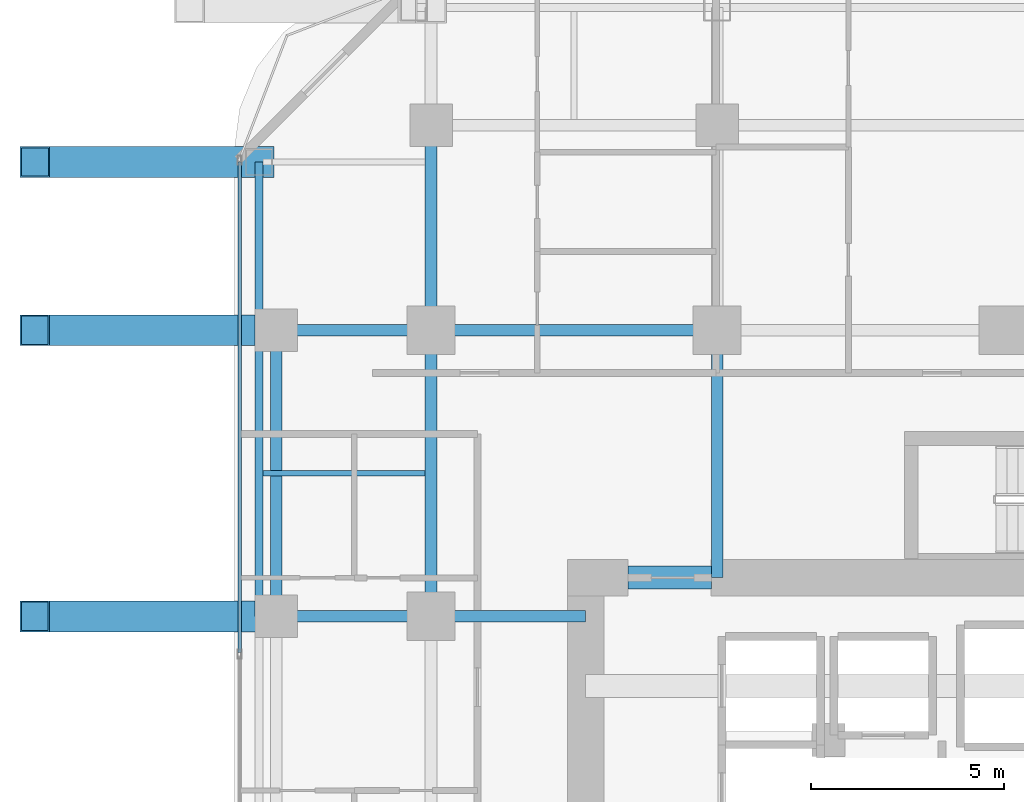
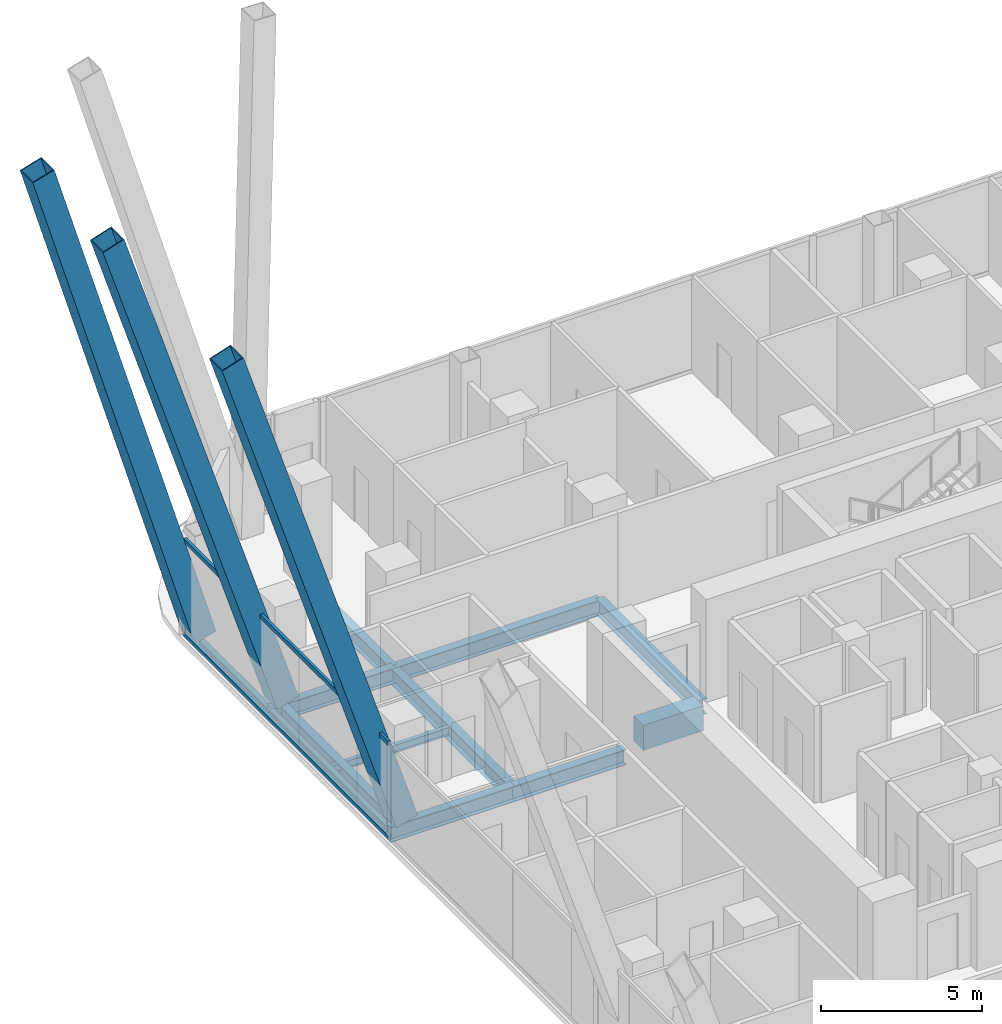
# One storey, part 14 of 32: 12 beams, 5 members, 1 element without a shape of its own.
"""IFC4 building model written with IfcOpenShell, lengths in metres."""

from ifc_helpers import new_model, si_unit, direction, frame, origin, origin_2d, place, context, subcontext, project, spatial, rectangle, hollow_rectangle, i_section, extrude, material, layer, layer_set, material_profile, profile_set, type_object, element, aggregate, save


model = new_model("IFC4")

# Units and contexts
model_context = context("Model", 3, precision=1e-05, world=origin(), true_north=direction((0.0, 1.0)))
body_context = subcontext(model_context, "Body", "Model", "MODEL_VIEW")
ifc_project = project(units=[si_unit("LENGTHUNIT", "METRE"), si_unit("AREAUNIT", "SQUARE_METRE"), si_unit("VOLUMEUNIT", "CUBIC_METRE"), si_unit("PLANEANGLEUNIT", "RADIAN"), si_unit("MASSUNIT", "GRAM", prefix="KILO")], contexts=[model_context])

# Site, building, storey
site_placement = place(None, origin())
site = spatial("IfcSite", under=ifc_project, at=site_placement, CompositionType="ELEMENT")
building_placement = place(site_placement, origin())
building = spatial("IfcBuilding", under=site, at=building_placement, Name="Khorvyn Point Tower", CompositionType="ELEMENT")
storey_placement = place(building_placement, frame((0.0, 0.0, 148.5)))
storey = spatial("IfcBuildingStorey", under=building, at=storey_placement, Name="L37", CompositionType="ELEMENT", Elevation=148.5)

# Curtain wall, members
ifc_material_1 = material(Name="Anodised aluminium 6063-T6 and laminated Low-E glass", Category="aluminium")
ifc_layer = layer(ifc_material_1, 0.18994140625)
ifc_layer_set = layer_set([ifc_layer], Name="Stick-Built Acoustic Curtain Wall CW-SYS-03")
curtain_wall_type = type_object("IfcCurtainWallType", Name="Stick-Built Acoustic Curtain Wall CW-SYS-03", PredefinedType="NOTDEFINED", material=ifc_layer_set)
curtain_wall_placement = place(storey_placement, origin())
curtain_wall = element("IfcCurtainWall", 1, at=curtain_wall_placement, inside=storey, type_object=curtain_wall_type, Name="Curtain Wall", PredefinedType="NOTDEFINED")
ifc_material_2 = material(Name="Anodised aluminium 6063-T6", Category="aluminium")
ifc_material_profile_1 = material_profile(ifc_material_2, hollow_rectangle(XDim=0.10009765625, YDim=0.159912109375, WallThickness=0.00439453125, at=origin_2d()))
ifc_profile_set_1 = profile_set([ifc_material_profile_1], Name="Anodised aluminium 6063-T6 ALU-TRN-100x160")
member_type_1 = type_object("IfcMemberType", Name="Anodised Aluminium 6063-T6 Transom ALU-TRN-100x160", PredefinedType="USERDEFINED", material=ifc_profile_set_1)
member_1_placement = place(storey_placement, frame((-19.75, 6.466552734375, 0.050048828125), z_axis=(0.0, 1.0, 0.0), x_axis=(-1.0, 0.0, 0.0)))
member_1 = element("IfcMember", 2, at=member_1_placement, type_object=member_type_1, Name="Transom", ObjectType="TRANSOM", PredefinedType="USERDEFINED", context=body_context, shape_type="SweptSolid", body=[
    extrude(hollow_rectangle(XDim=0.10009765625, YDim=0.159912109375, WallThickness=0.00439453125, at=origin_2d()), origin(), (0.0, 0.0, 1.0), 12.683349609375),
])
member_2_placement = place(storey_placement, frame((-19.75, 6.466552734375, 3.6298828125), z_axis=(0.0, 1.0, 0.0), x_axis=(-1.0, 0.0, 0.0)))
member_2 = element("IfcMember", 3, at=member_2_placement, type_object=member_type_1, Name="Transom", ObjectType="TRANSOM", PredefinedType="USERDEFINED", context=body_context, shape_type="SweptSolid", body=[
    extrude(hollow_rectangle(XDim=0.10009765625, YDim=0.159912109375, WallThickness=0.00439453125, at=origin_2d()), origin(), (0.0, 0.0, 1.0), 12.683349609375),
])
aggregate(curtain_wall, [member_1, member_2])

# Beams
ifc_material_3 = material(Name="Concrete C50/60", Category="concrete")
ifc_material_profile_2 = material_profile(ifc_material_3, rectangle(XDim=0.60009765625, YDim=0.949951171875, at=origin_2d()))
ifc_profile_set_2 = profile_set([ifc_material_profile_2], Name="Concrete C50/60 RC600x950")
beam_type_1 = type_object("IfcBeamType", Name="Concrete C50/60 Beam RC600x950", PredefinedType="BEAM", material=ifc_profile_set_2)
beam_1_placement = place(storey_placement, frame((-9.699951171875, 8.39990234375, -0.695068359375), z_axis=(1.0, 0.0, 0.0), x_axis=(0.0, 1.0, 0.0)))
element("IfcBeam", 4, at=beam_1_placement, inside=storey, type_object=beam_type_1, Name="L37 Core Northwest Portal Coupling Beam", PredefinedType="BEAM", context=body_context, shape_type="SweptSolid", body=[
    extrude(rectangle(XDim=0.60009765625, YDim=0.949951171875, at=origin_2d()), origin(), (0.0, 0.0, 1.0), 2.14990234375),
])
ifc_material_4 = material(Name="Steel S355", Category="steel")
ifc_material_profile_3 = material_profile(ifc_material_4, i_section(OverallWidth=0.300048828125, OverallDepth=0.587890625, WebThickness=0.011962890625, FlangeThickness=0.02001953125, at=origin_2d()))
ifc_profile_set_3 = profile_set([ifc_material_profile_3], Name="Steel S355 H588x300x12x20")
beam_type_2 = type_object("IfcBeamType", Name="Steel S355 Beam H588x300x12x20", PredefinedType="BEAM", material=ifc_profile_set_3)
beam_2_placement = place(storey_placement, frame((-19.25, 14.800048828125, -0.513916015625), z_axis=(1.0, 0.0, 0.0), x_axis=(0.0, 1.0, 0.0)))
element("IfcBeam", 5, at=beam_2_placement, inside=storey, type_object=beam_type_2, Name="Beam", PredefinedType="BEAM", context=body_context, shape_type="SweptSolid", body=[
    extrude(i_section(OverallWidth=0.300048828125, OverallDepth=0.587890625, WebThickness=0.011962890625, FlangeThickness=0.02001953125, at=origin_2d()), origin(), (0.0, 0.0, 1.0), 4.449951171875),
])
beam_3_placement = place(storey_placement, frame((-14.800048828125, 14.800048828125, -0.513916015625), z_axis=(1.0, 0.0, 0.0), x_axis=(0.0, 1.0, 0.0)))
element("IfcBeam", 6, at=beam_3_placement, inside=storey, type_object=beam_type_2, Name="Beam", PredefinedType="BEAM", context=body_context, shape_type="SweptSolid", body=[
    extrude(i_section(OverallWidth=0.300048828125, OverallDepth=0.587890625, WebThickness=0.011962890625, FlangeThickness=0.02001953125, at=origin_2d()), origin(), (0.0, 0.0, 1.0), 7.400146484375),
])
beam_4_placement = place(storey_placement, frame((-19.25, 7.39990234375, -0.513916015625), z_axis=(1.0, 0.0, 0.0), x_axis=(0.0, 1.0, 0.0)))
element("IfcBeam", 7, at=beam_4_placement, inside=storey, type_object=beam_type_2, Name="Beam", PredefinedType="BEAM", context=body_context, shape_type="SweptSolid", body=[
    extrude(i_section(OverallWidth=0.300048828125, OverallDepth=0.587890625, WebThickness=0.011962890625, FlangeThickness=0.02001953125, at=origin_2d()), origin(), (0.0, 0.0, 1.0), 4.449951171875),
])
beam_5_placement = place(storey_placement, frame((-14.800048828125, 7.39990234375, -0.513916015625), z_axis=(1.0, 0.0, 0.0), x_axis=(0.0, 1.0, 0.0)))
element("IfcBeam", 8, at=beam_5_placement, inside=storey, type_object=beam_type_2, Name="Beam", PredefinedType="BEAM", context=body_context, shape_type="SweptSolid", body=[
    extrude(i_section(OverallWidth=0.300048828125, OverallDepth=0.587890625, WebThickness=0.011962890625, FlangeThickness=0.02001953125, at=origin_2d()), origin(), (0.0, 0.0, 1.0), 4.0),
])
beam_6_placement = place(storey_placement, frame((-14.800048828125, 7.39990234375, -0.513916015625), z_axis=(0.0, 1.0, 0.0), x_axis=(-1.0, 0.0, 0.0)))
element("IfcBeam", 9, at=beam_6_placement, inside=storey, type_object=beam_type_2, Name="Beam", PredefinedType="BEAM", context=body_context, shape_type="SweptSolid", body=[
    extrude(i_section(OverallWidth=0.300048828125, OverallDepth=0.587890625, WebThickness=0.011962890625, FlangeThickness=0.02001953125, at=origin_2d()), origin(), (0.0, 0.0, 1.0), 7.400146484375),
])
beam_7_placement = place(storey_placement, frame((-14.800048828125, 14.800048828125, -0.513916015625), z_axis=(0.0, 1.0, 0.0), x_axis=(-1.0, 0.0, 0.0)))
element("IfcBeam", 10, at=beam_7_placement, inside=storey, type_object=beam_type_2, Name="Beam", PredefinedType="BEAM", context=body_context, shape_type="SweptSolid", body=[
    extrude(i_section(OverallWidth=0.300048828125, OverallDepth=0.587890625, WebThickness=0.011962890625, FlangeThickness=0.02001953125, at=origin_2d()), origin(), (0.0, 0.0, 1.0), 5.300048828125),
])
beam_8_placement = place(storey_placement, frame((-7.39990234375, 8.39990234375, -0.513916015625), z_axis=(0.0, 1.0, 0.0), x_axis=(-1.0, 0.0, 0.0)))
element("IfcBeam", 11, at=beam_8_placement, inside=storey, type_object=beam_type_2, Name="Beam", PredefinedType="BEAM", context=body_context, shape_type="SweptSolid", body=[
    extrude(i_section(OverallWidth=0.300048828125, OverallDepth=0.587890625, WebThickness=0.011962890625, FlangeThickness=0.02001953125, at=origin_2d()), origin(), (0.0, 0.0, 1.0), 6.400146484375),
])
beam_9_placement = place(storey_placement, frame((-18.800048828125, 7.39990234375, -0.513916015625), z_axis=(0.0, 1.0, 0.0), x_axis=(-1.0, 0.0, 0.0)))
element("IfcBeam", 12, at=beam_9_placement, inside=storey, type_object=beam_type_2, Name="Beam", PredefinedType="BEAM", context=body_context, shape_type="SweptSolid", body=[
    extrude(i_section(OverallWidth=0.300048828125, OverallDepth=0.587890625, WebThickness=0.011962890625, FlangeThickness=0.02001953125, at=origin_2d()), origin(), (0.0, 0.0, 1.0), 7.400146484375),
])
ifc_material_profile_4 = material_profile(ifc_material_4, i_section(OverallWidth=0.14990234375, OverallDepth=0.300048828125, WebThickness=0.006591796875, FlangeThickness=0.009033203125, at=origin_2d()))
ifc_profile_set_4 = profile_set([ifc_material_profile_4], Name="Steel S355 H300x150x6.5x9")
beam_type_3 = type_object("IfcBeamType", Name="Steel S355 Joist H300x150x6.5x9", PredefinedType="JOIST", material=ifc_profile_set_4)
beam_10_placement = place(storey_placement, frame((-19.14990234375, 11.10009765625, -0.3701171875), z_axis=(1.0, 0.0, 0.0), x_axis=(0.0, 1.0, 0.0)))
element("IfcBeam", 13, at=beam_10_placement, inside=storey, type_object=beam_type_3, Name="Beam", PredefinedType="JOIST", context=body_context, shape_type="SweptSolid", body=[
    extrude(i_section(OverallWidth=0.14990234375, OverallDepth=0.300048828125, WebThickness=0.006591796875, FlangeThickness=0.009033203125, at=origin_2d()), origin(), (0.0, 0.0, 1.0), 4.199951171875),
])
ifc_material_profile_5 = material_profile(ifc_material_4, i_section(OverallWidth=0.199951171875, OverallDepth=0.449951171875, WebThickness=0.009033203125, FlangeThickness=0.013916015625, at=origin_2d()))
ifc_profile_set_5 = profile_set([ifc_material_profile_5], Name="Steel S355 H450x200x9x14")
beam_type_4 = type_object("IfcBeamType", Name="Steel S355 Spandrel H450x200x9x14", PredefinedType="SPANDREL", material=ifc_profile_set_5)
beam_11_placement = place(storey_placement, frame((-19.25, 7.39990234375, -0.445068359375), z_axis=(0.0, 1.0, 0.0), x_axis=(-1.0, 0.0, 0.0)))
element("IfcBeam", 14, at=beam_11_placement, inside=storey, type_object=beam_type_4, Name="Beam", PredefinedType="SPANDREL", context=body_context, shape_type="SweptSolid", body=[
    extrude(i_section(OverallWidth=0.199951171875, OverallDepth=0.449951171875, WebThickness=0.009033203125, FlangeThickness=0.013916015625, at=origin_2d()), origin(), (0.0, 0.0, 1.0), 7.400146484375),
])
beam_12_placement = place(storey_placement, frame((-19.25, 14.800048828125, -0.445068359375), z_axis=(0.0, 1.0, 0.0), x_axis=(-1.0, 0.0, 0.0)))
element("IfcBeam", 15, at=beam_12_placement, inside=storey, type_object=beam_type_4, Name="Beam", PredefinedType="SPANDREL", context=body_context, shape_type="SweptSolid", body=[
    extrude(i_section(OverallWidth=0.199951171875, OverallDepth=0.449951171875, WebThickness=0.009033203125, FlangeThickness=0.013916015625, at=origin_2d()), origin(), (0.0, 0.0, 1.0), 4.349853515625),
])

# Members
ifc_material_5 = material(Name="Steel S450", Category="steel")
ifc_material_profile_6 = material_profile(ifc_material_5, hollow_rectangle(XDim=0.800048828125, YDim=0.800048828125, WallThickness=0.035888671875, at=origin_2d()))
ifc_profile_set_6 = profile_set([ifc_material_profile_6], Name="Steel S450 BOX800x800x36")
member_type_2 = type_object("IfcMemberType", Name="Steel S450 Exoskeleton Structural Post BOX800x800x36", PredefinedType="POST", material=ifc_profile_set_6)
member_3_placement = place(storey_placement, frame((-19.25, 19.14990234375, 0.0), z_axis=(-0.285094530681, 0.0, 0.958499404578), x_axis=(0.0, -1.0, 0.0)))
element("IfcMember", 16, at=member_3_placement, inside=storey, type_object=member_type_2, Name="L37 to L41 Exoskeleton Transfer Post 06", PredefinedType="POST", context=body_context, shape_type="SweptSolid", body=[
    extrude(hollow_rectangle(XDim=0.800048828125, YDim=0.800048828125, WallThickness=0.035888671875, at=origin_2d()), origin(), (0.0, 0.0, 1.0), 20.34423828125),
])
for number, where, z_axis, x_axis, name in (
    (17, (-18.800048828125, 7.39990234375, 0.0), (-0.305218682065, 0.0, 0.952282288042), (0.0, -1.0, 0.0), "L37 to L41 Exoskeleton Transfer Post 15"),
    (18, (-18.800048828125, 14.800048828125, 0.0), (-0.305218682065, 0.0, 0.952282288042), (0.0, -1.0, 0.0), "L37 to L41 Exoskeleton Transfer Post 17"),
):
    element("IfcMember", number, at=place(storey_placement, frame(where, z_axis=z_axis, x_axis=x_axis)), inside=storey, type_object=member_type_2, Name=name, PredefinedType="POST", context=body_context, shape_type="SweptSolid", body=[
        extrude(hollow_rectangle(XDim=0.800048828125, YDim=0.800048828125, WallThickness=0.035888671875, at=origin_2d()), origin(), (0.0, 0.0, 1.0), 20.47705078125),
    ])

save(model, "model.ifc")
